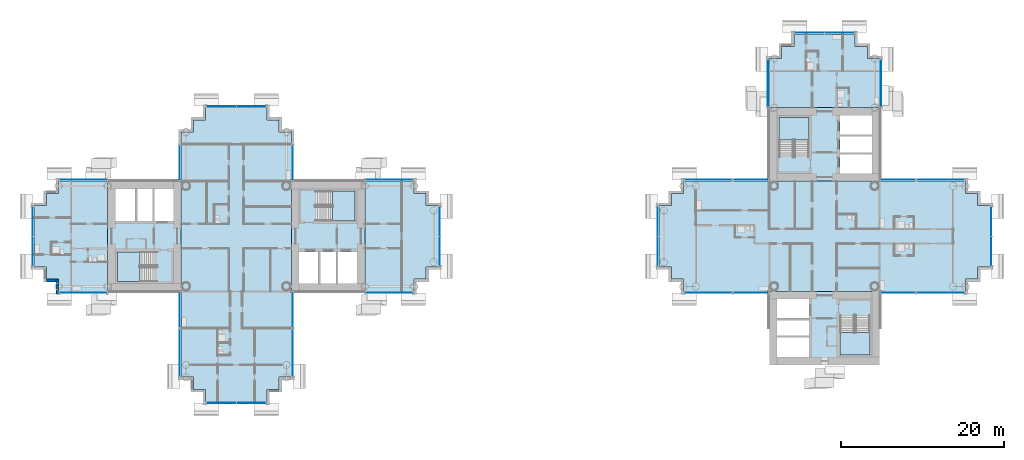
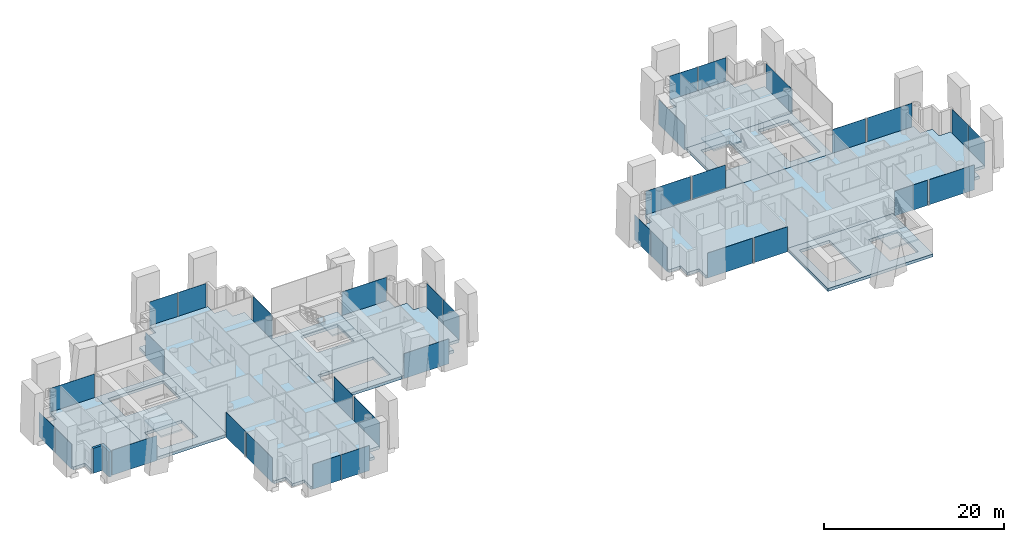
# One storey, part 7 of 21: 34 plates, 13 slabs, 2 walls, 31 elements without a shape of their own.
"""IFC4 building model written with IfcOpenShell, lengths in metres."""

import ifcopenshell
import ifcopenshell.guid

model = None  # the IFC model being written
_history = None  # IfcOwnerHistory: only IFC2X3 demands one
_inside = {}  # id of a spatial element -> (the spatial element, [elements in it])
_under = {}  # id of a project, library or spatial element -> (it, [spatial elements below it])
_declared = {}  # id of a project -> (the project, [libraries it declares])
_typed = {}  # id of a type object -> (the type object, [elements of that type])
_made_of = {}  # id of a material, layer set ... -> (it, [elements and type objects made of it])


def new_model(schema):
    """Start an empty IFC model of exactly this schema.

    Asked for "IFC4X3", IfcOpenShell would pick the latest addendum, in which some entities
    have other attributes; the version numbers below select the first issue.
    IFC2X3 requires an IfcOwnerHistory on every rooted entity: one is made here for all.
    """
    global model, _history
    if schema == "IFC4X3":
        model = ifcopenshell.file(schema_version=(4, 3, 0, 0))
    else:
        model = ifcopenshell.file(schema=schema)
    _inside.clear()
    _under.clear()
    _declared.clear()
    _typed.clear()
    _made_of.clear()
    _history = None
    if model.schema == "IFC2X3":
        org = make("IfcOrganization", Name="unknown")
        user = make(
            "IfcPersonAndOrganization",
            ThePerson=make("IfcPerson", FamilyName="unknown"),
            TheOrganization=org,
        )
        app = make(
            "IfcApplication",
            ApplicationDeveloper=org,
            Version="unknown",
            ApplicationFullName="unknown",
            ApplicationIdentifier="unknown",
        )
        _history = make(
            "IfcOwnerHistory",
            OwningUser=user,
            OwningApplication=app,
            ChangeAction="ADDED",
            CreationDate=0,
        )
    return model


def make(cls, **values):
    """One entity of the class cls with the attributes given. An attribute that is None is left unset."""
    return model.create_entity(
        cls, **{name: value for name, value in values.items() if value is not None}
    )


def rooted(cls, **values):
    """An entity with a GlobalId (a new one), such as an element, a storey or a relation."""
    return make(cls, GlobalId=ifcopenshell.guid.new(), OwnerHistory=_history, **values)


def si_unit(unit_type, name, prefix=None):
    """IfcSIUnit, for example si_unit("LENGTHUNIT", "METRE", prefix="MILLI")."""
    return make("IfcSIUnit", UnitType=unit_type, Prefix=prefix, Name=name)


def assignment(units):
    """IfcUnitAssignment: the units of a project."""
    return None if units is None else make("IfcUnitAssignment", Units=units)


def point(xyz):
    """IfcCartesianPoint."""
    return None if xyz is None else make("IfcCartesianPoint", Coordinates=xyz)


def direction(xyz):
    """IfcDirection."""
    return None if xyz is None else make("IfcDirection", DirectionRatios=xyz)


def frame(location, z_axis=None, x_axis=None):
    """IfcAxis2Placement3D, a coordinate frame: its origin and axes. An axis left out is left unset."""
    return make(
        "IfcAxis2Placement3D",
        Location=point(location),
        Axis=direction(z_axis),
        RefDirection=direction(x_axis),
    )


def frame_2d(location, x_axis=None):
    """IfcAxis2Placement2D, a coordinate frame in the plane: its origin and x axis."""
    return make(
        "IfcAxis2Placement2D", Location=point(location), RefDirection=direction(x_axis)
    )


def origin():
    """The frame at (0, 0, 0) with its axes left unset."""
    return frame((0.0, 0.0, 0.0))


def origin_2d():
    """The frame at (0, 0) in the plane with its x axis left unset."""
    return frame_2d((0.0, 0.0))


def place(relative_to, where):
    """IfcLocalPlacement: puts the frame where relative to a parent placement (None: the world)."""
    return make(
        "IfcLocalPlacement", PlacementRelTo=relative_to, RelativePlacement=where
    )


def context(
    kind, dimensions, precision=None, world=None, true_north=None, identifier=None
):
    """IfcGeometricRepresentationContext, for example the 3D "Model" context."""
    return make(
        "IfcGeometricRepresentationContext",
        ContextIdentifier=identifier,
        ContextType=kind,
        CoordinateSpaceDimension=dimensions,
        Precision=precision,
        WorldCoordinateSystem=world,
        TrueNorth=true_north,
    )


def subcontext(parent, identifier, kind, view, scale=None):
    """IfcGeometricRepresentationSubContext, for example "Body" below "Model"."""
    return make(
        "IfcGeometricRepresentationSubContext",
        ContextIdentifier=identifier,
        ContextType=kind,
        ParentContext=parent,
        TargetScale=scale,
        TargetView=view,
    )


def project(units=None, contexts=None):
    """IfcProject with its units and contexts."""
    return rooted(
        "IfcProject",
        Name="project",
        RepresentationContexts=contexts,
        UnitsInContext=assignment(units),
    )


def spatial(cls, under=None, at=None, **own):
    """A site, building, storey or space (cls), placed at a placement, below another one or the project."""
    s = rooted(cls, ObjectPlacement=at, **own)
    if under is not None:
        _under.setdefault(under.id(), (under, []))[1].append(s)
    return s


def polyline(points):
    """IfcPolyline through the points."""
    return make("IfcPolyline", Points=[point(p) for p in points])


def profile(cls, at=None, kind="AREA", **sizes):
    """A parametric profile (cls). Its sizes go by their IFC names, for example OverallWidth=200.0."""
    return make(cls, ProfileType=kind, Position=at, **sizes)


def rectangle(**sizes):
    """IfcRectangleProfileDef."""
    return profile("IfcRectangleProfileDef", **sizes)


def outline(outer, holes=None, kind="AREA"):
    """IfcArbitraryClosedProfileDef: a profile drawn as a closed curve; with holes, ...WithVoids."""
    if holes is None:
        return make("IfcArbitraryClosedProfileDef", ProfileType=kind, OuterCurve=outer)
    return make(
        "IfcArbitraryProfileDefWithVoids",
        ProfileType=kind,
        OuterCurve=outer,
        InnerCurves=holes,
    )


def extrude(swept, where, along, depth):
    """IfcExtrudedAreaSolid: the profile swept, set in the frame where, extruded along a direction by depth."""
    return make(
        "IfcExtrudedAreaSolid",
        SweptArea=swept,
        Position=where,
        ExtrudedDirection=direction(along),
        Depth=depth,
    )


def shape(context_of_items, identifier, shape_type, items):
    """IfcShapeRepresentation: the items that make up one representation, for example the "Body"."""
    return make(
        "IfcShapeRepresentation",
        ContextOfItems=context_of_items,
        RepresentationIdentifier=identifier,
        RepresentationType=shape_type,
        Items=items,
    )


def material(Name=None, Category=None):
    """IfcMaterial."""
    return make("IfcMaterial", Name=Name, Category=Category)


def layer(
    of_material, thickness, ventilated=None, Name=None, Category=None, Priority=None
):
    """IfcMaterialLayer: one layer of a wall or slab, of a material (None: an air gap)."""
    return make(
        "IfcMaterialLayer",
        Material=of_material,
        LayerThickness=thickness,
        IsVentilated=ventilated,
        Name=Name,
        Category=Category,
        Priority=Priority,
    )


def layer_set(layers, Name=None):
    """IfcMaterialLayerSet."""
    return make("IfcMaterialLayerSet", MaterialLayers=layers, LayerSetName=Name)


def made_of(thing, what):
    """Note that an element or type object is made of a material, layer set ...; save() writes the relation."""
    if what is not None:
        _made_of.setdefault(what.id(), (what, []))[1].append(thing)
    return thing


def type_object(cls, material=None, **own):
    """A type object (cls), such as IfcWallType, which elements share."""
    return made_of(rooted(cls, **own), material)


def element(
    cls,
    number,
    at=None,
    inside=None,
    cuts=None,
    type_object=None,
    material=None,
    context=None,
    identifier="Body",
    shape_type=None,
    held_by="IfcProductDefinitionShape",
    body=None,
    shapes=None,
    **own,
):
    """One element of the class cls, such as IfcWall. Its Tag is "e" and its number.

    at: its placement. inside: the storey or other place that contains it. cuts: it is an
    opening in that element (IfcRelVoidsElement). A single representation is given by context,
    identifier, shape_type and body (its items); several are given by shapes. held_by: the class
    of the entity that holds the representations. save() writes the other relations.
    """
    e = rooted(cls, Tag="e%d" % number, ObjectPlacement=at, **own)
    if body is not None:
        shapes = [shape(context, identifier, shape_type, body)]
    if shapes is not None:
        e.Representation = make(held_by, Representations=shapes)
    if inside is not None:
        _inside.setdefault(inside.id(), (inside, []))[1].append(e)
    if cuts is not None:
        rooted(
            "IfcRelVoidsElement", RelatingBuildingElement=cuts, RelatedOpeningElement=e
        )
    if type_object is not None:
        _typed.setdefault(type_object.id(), (type_object, []))[1].append(e)
    return made_of(e, material)


def aggregate(whole, parts):
    """IfcRelAggregates: a whole, such as a stair, and the parts it consists of."""
    return rooted("IfcRelAggregates", RelatingObject=whole, RelatedObjects=parts)


def save(model, path):
    """Write the relations noted so far, then the file.

    IfcRelAggregates (storeys below a building ...), IfcRelContainedInSpatialStructure (elements
    in a storey), IfcRelDefinesByType, IfcRelAssociatesMaterial and IfcRelDeclares: one each for
    every whole, place, type object, material and project.
    """
    for whole, parts in _under.values():
        aggregate(whole, parts)
    for where, things in _inside.values():
        rooted(
            "IfcRelContainedInSpatialStructure",
            RelatedElements=things,
            RelatingStructure=where,
        )
    for kind, things in _typed.values():
        rooted("IfcRelDefinesByType", RelatedObjects=things, RelatingType=kind)
    for what, things in _made_of.values():
        rooted("IfcRelAssociatesMaterial", RelatedObjects=things, RelatingMaterial=what)
    for by, libraries in _declared.values():
        rooted("IfcRelDeclares", RelatingContext=by, RelatedDefinitions=libraries)
    model.write(path)


model = new_model("IFC4")

# Units and contexts
model_context = context("Model", 3, precision=1e-05, world=origin(), true_north=direction((0.0, 1.0)))
body_context = subcontext(model_context, "Body", "Model", "MODEL_VIEW")
ifc_project = project(units=[si_unit("LENGTHUNIT", "METRE"), si_unit("AREAUNIT", "SQUARE_METRE"), si_unit("VOLUMEUNIT", "CUBIC_METRE"), si_unit("PLANEANGLEUNIT", "RADIAN"), si_unit("MASSUNIT", "GRAM", prefix="KILO")], contexts=[model_context])

# Site, building, storey
site_placement = place(None, origin())
site = spatial("IfcSite", under=ifc_project, at=site_placement, CompositionType="ELEMENT")
building_placement = place(site_placement, origin())
building = spatial("IfcBuilding", under=site, at=building_placement, Name="Ipe Terrace Towers", CompositionType="ELEMENT")
storey_placement = place(building_placement, frame((0.0, 0.0, 93.60009765625)))
storey = spatial("IfcBuildingStorey", under=building, at=storey_placement, Name="L25", CompositionType="ELEMENT", Elevation=93.60009765625)

# Slabs
ifc_material_1 = material(Name="Concrete C30/37", Category="concrete")
ifc_layer_1 = layer(ifc_material_1, 0.39990234375)
ifc_layer_set_1 = layer_set([ifc_layer_1], Name="CORE FLOOR SLAB 400 C30-37")
slab_type_1 = type_object("IfcSlabType", Name="CORE FLOOR SLAB 400 C30-37", PredefinedType="FLOOR", material=ifc_layer_set_1)
slab_1_placement = place(storey_placement, frame((0.0, 0.0, -0.400146484375)))
element("IfcSlab", 1, at=slab_1_placement, inside=storey, type_object=slab_type_1, Name="Core floor T1-C1", PredefinedType="FLOOR", context=body_context, shape_type="SweptSolid", body=[
    extrude(outline(polyline([(-29.25, -6.75), (-29.25, 6.75), (-20.25, 6.75), (-20.25, -6.75), (-29.25, -6.75)]), holes=[polyline([(-28.300048828125, -5.800048828125), (-21.199951171875, -5.800048828125), (-21.199951171875, -1.89990234375), (-28.300048828125, -1.89990234375), (-28.300048828125, -5.800048828125)]), polyline([(-26.199951171875, 5.550048828125), (-26.199951171875, 1.89990234375), (-21.449951171875, 1.89990234375), (-21.449951171875, 5.550048828125), (-26.199951171875, 5.550048828125)])]), origin(), (0.0, 0.0, 1.0), 0.400146484375),
])
slab_2_placement = place(storey_placement, frame((0.0, 0.0, -0.400146484375)))
element("IfcSlab", 2, at=slab_2_placement, inside=storey, type_object=slab_type_1, Name="Core floor T1-C2", PredefinedType="FLOOR", context=body_context, shape_type="SweptSolid", body=[
    extrude(outline(polyline([(-51.75, -6.75), (-51.75, 6.75), (-42.75, 6.75), (-42.75, -6.75), (-51.75, -6.75)]), holes=[polyline([(-45.800048828125, -5.550048828125), (-45.800048828125, -1.89990234375), (-50.550048828125, -1.89990234375), (-50.550048828125, -5.550048828125), (-45.800048828125, -5.550048828125)]), polyline([(-50.800048828125, 1.89990234375), (-43.699951171875, 1.89990234375), (-43.699951171875, 5.800048828125), (-50.800048828125, 5.800048828125), (-50.800048828125, 1.89990234375)])]), origin(), (0.0, 0.0, 1.0), 0.400146484375),
])
slab_3_placement = place(storey_placement, frame((0.0, 0.0, -0.400146484375)))
element("IfcSlab", 3, at=slab_3_placement, inside=storey, type_object=slab_type_1, Name="Core floor T2-C1", PredefinedType="FLOOR", context=body_context, shape_type="SweptSolid", body=[
    extrude(outline(polyline([(29.25, 6.75), (29.25, 15.75), (42.75, 15.75), (42.75, 6.75), (29.25, 6.75)]), holes=[polyline([(41.800048828125, 7.699951171875), (41.800048828125, 14.800048828125), (37.89990234375, 14.800048828125), (37.89990234375, 7.699951171875), (41.800048828125, 7.699951171875)]), polyline([(30.449951171875, 9.800048828125), (34.10009765625, 9.800048828125), (34.10009765625, 14.550048828125), (30.449951171875, 14.550048828125), (30.449951171875, 9.800048828125)])]), origin(), (0.0, 0.0, 1.0), 0.400146484375),
])
slab_4_placement = place(storey_placement, frame((0.0, 0.0, -0.400146484375)))
element("IfcSlab", 4, at=slab_4_placement, inside=storey, type_object=slab_type_1, Name="Core floor T2-C2", PredefinedType="FLOOR", context=body_context, shape_type="SweptSolid", body=[
    extrude(outline(polyline([(29.25, -15.75), (29.25, -6.75), (42.75, -6.75), (42.75, -15.75), (29.25, -15.75)]), holes=[polyline([(34.10009765625, -14.800048828125), (34.10009765625, -7.699951171875), (30.199951171875, -7.699951171875), (30.199951171875, -14.800048828125), (34.10009765625, -14.800048828125)]), polyline([(41.550048828125, -9.800048828125), (37.89990234375, -9.800048828125), (37.89990234375, -14.550048828125), (41.550048828125, -14.550048828125), (41.550048828125, -9.800048828125)])]), origin(), (0.0, 0.0, 1.0), 0.400146484375),
])

# Stair, slab
ifc_material_2 = material(Name="Concrete C30/37", Category="concrete")
stair_type = type_object("IfcStairType", Name="Protected exit stair", PredefinedType="HALF_TURN_STAIR", material=ifc_material_2)
stair_1_placement = place(storey_placement, origin())
stair_1 = element("IfcStair", 5, at=stair_1_placement, inside=storey, type_object=stair_type, Name="L25 Exit stair T1-C1", PredefinedType="HALF_TURN_STAIR")
ifc_material_3 = material(Name="Concrete C30/37", Category="concrete")
ifc_layer_2 = layer(ifc_material_3, 0.199951171875)
ifc_layer_set_2 = layer_set([ifc_layer_2], Name="Exit stair landing 200")
slab_type_2 = type_object("IfcSlabType", Name="Exit stair landing 200", PredefinedType="LANDING", material=ifc_layer_set_2)
slab_5_placement = place(storey_placement, frame((0.0, 0.0, 1.5)))
slab_5 = element("IfcSlab", 6, at=slab_5_placement, type_object=slab_type_2, Name="T1-ST1 landing 1", PredefinedType="LANDING", context=body_context, shape_type="SweptSolid", body=[
    extrude(outline(polyline([(-24.219970703125, 1.89990234375), (-21.449951171875, 1.89990234375), (-21.449951171875, 5.550048828125), (-24.219970703125, 5.550048828125), (-24.219970703125, 1.89990234375)])), origin(), (0.0, 0.0, 1.0), 0.199951171875),
])
aggregate(stair_1, [slab_5])

stair_2_placement = place(storey_placement, origin())
stair_2 = element("IfcStair", 7, at=stair_2_placement, inside=storey, type_object=stair_type, Name="L25 Exit stair T1-C2", PredefinedType="HALF_TURN_STAIR")
slab_6_placement = place(storey_placement, frame((0.0, 0.0, 1.5)))
slab_6 = element("IfcSlab", 8, at=slab_6_placement, type_object=slab_type_2, Name="T1-ST2 landing 1", PredefinedType="LANDING", context=body_context, shape_type="SweptSolid", body=[
    extrude(outline(polyline([(-47.780029296875, -1.89990234375), (-50.550048828125, -1.89990234375), (-50.550048828125, -5.550048828125), (-47.780029296875, -5.550048828125), (-47.780029296875, -1.89990234375)])), origin(), (0.0, 0.0, 1.0), 0.199951171875),
])
aggregate(stair_2, [slab_6])

stair_3_placement = place(storey_placement, origin())
stair_3 = element("IfcStair", 9, at=stair_3_placement, inside=storey, type_object=stair_type, Name="L25 Exit stair T2-C1", PredefinedType="HALF_TURN_STAIR")
slab_7_placement = place(storey_placement, frame((0.0, 0.0, 1.5)))
slab_7 = element("IfcSlab", 10, at=slab_7_placement, type_object=slab_type_2, Name="T2-ST1 landing 1", PredefinedType="LANDING", context=body_context, shape_type="SweptSolid", body=[
    extrude(outline(polyline([(34.10009765625, 11.780029296875), (34.10009765625, 14.550048828125), (30.449951171875, 14.550048828125), (30.449951171875, 11.780029296875), (34.10009765625, 11.780029296875)])), origin(), (0.0, 0.0, 1.0), 0.199951171875),
])
aggregate(stair_3, [slab_7])

stair_4_placement = place(storey_placement, origin())
stair_4 = element("IfcStair", 11, at=stair_4_placement, inside=storey, type_object=stair_type, Name="L25 Exit stair T2-C2", PredefinedType="HALF_TURN_STAIR")
slab_8_placement = place(storey_placement, frame((0.0, 0.0, 1.5)))
slab_8 = element("IfcSlab", 12, at=slab_8_placement, type_object=slab_type_2, Name="T2-ST2 landing 1", PredefinedType="LANDING", context=body_context, shape_type="SweptSolid", body=[
    extrude(outline(polyline([(37.89990234375, -11.780029296875), (37.89990234375, -14.550048828125), (41.550048828125, -14.550048828125), (41.550048828125, -11.780029296875), (37.89990234375, -11.780029296875)])), origin(), (0.0, 0.0, 1.0), 0.199951171875),
])
aggregate(stair_4, [slab_8])

# Slabs
ifc_material_4 = material(Name="Concrete C40/50", Category="concrete")
ifc_layer_3 = layer(ifc_material_4, 0.39990234375)
ifc_layer_set_3 = layer_set([ifc_layer_3], Name="FLAT PLATE SLAB 400 C40-50")
slab_type_3 = type_object("IfcSlabType", Name="FLAT PLATE SLAB 400 C40-50", PredefinedType="FLOOR", material=ifc_layer_set_3)
slab_9_placement = place(storey_placement, frame((0.0, 0.0, -0.400146484375)))
element("IfcSlab", 13, at=slab_9_placement, inside=storey, type_object=slab_type_3, Name="Slab T1-FS-Z21", PredefinedType="FLOOR", context=body_context, shape_type="SweptSolid", body=[
    extrude(outline(polyline([(-30.75, -17.25), (-30.75, -18.75), (-32.25, -18.75), (-32.25, -20.25), (-39.75, -20.25), (-39.75, -18.75), (-41.25, -18.75), (-41.25, -17.25), (-42.75, -17.25), (-42.75, -6.75), (-42.75, 6.75), (-42.75, 12.75), (-41.25, 12.75), (-41.25, 14.25), (-39.75, 14.25), (-39.75, 15.75), (-32.25, 15.75), (-32.25, 14.25), (-30.75, 14.25), (-30.75, 12.75), (-29.25, 12.75), (-29.25, 6.75), (-29.25, -6.75), (-29.25, -17.25), (-30.75, -17.25)])), origin(), (0.0, 0.0, 1.0), 0.400146484375),
])
slab_10_placement = place(storey_placement, frame((0.0, 0.0, -0.400146484375)))
element("IfcSlab", 14, at=slab_10_placement, inside=storey, type_object=slab_type_3, Name="Slab T1-FS-Z22", PredefinedType="FLOOR", context=body_context, shape_type="SweptSolid", body=[
    extrude(outline(polyline([(-57.75, -6.75), (-57.75, -5.25), (-59.25, -5.25), (-59.25, -3.75), (-60.75, -3.75), (-60.75, 3.75), (-59.25, 3.75), (-59.25, 5.25), (-57.75, 5.25), (-57.75, 6.75), (-51.75, 6.75), (-51.75, -6.75), (-57.75, -6.75)])), origin(), (0.0, 0.0, 1.0), 0.400146484375),
])
slab_11_placement = place(storey_placement, frame((0.0, 0.0, -0.400146484375)))
element("IfcSlab", 15, at=slab_11_placement, inside=storey, type_object=slab_type_3, Name="Slab T1-FS-Z23", PredefinedType="FLOOR", context=body_context, shape_type="SweptSolid", body=[
    extrude(outline(polyline([(-14.25, 5.25), (-12.75, 5.25), (-12.75, 3.75), (-11.25, 3.75), (-11.25, -3.75), (-12.75, -3.75), (-12.75, -5.25), (-14.25, -5.25), (-14.25, -6.75), (-20.25, -6.75), (-20.25, 6.75), (-14.25, 6.75), (-14.25, 5.25)])), origin(), (0.0, 0.0, 1.0), 0.400146484375),
])
slab_12_placement = place(storey_placement, frame((0.0, 0.0, -0.400146484375)))
element("IfcSlab", 16, at=slab_12_placement, inside=storey, type_object=slab_type_3, Name="Slab T2-FS-Z21", PredefinedType="FLOOR", context=body_context, shape_type="SweptSolid", body=[
    extrude(outline(polyline([(53.25, 5.25), (54.75, 5.25), (54.75, 3.75), (56.25, 3.75), (56.25, -3.75), (54.75, -3.75), (54.75, -5.25), (53.25, -5.25), (53.25, -6.75), (42.75, -6.75), (29.25, -6.75), (18.75, -6.75), (18.75, -5.25), (17.25, -5.25), (17.25, -3.75), (15.75, -3.75), (15.75, 3.75), (17.25, 3.75), (17.25, 5.25), (18.75, 5.25), (18.75, 6.75), (29.25, 6.75), (42.75, 6.75), (53.25, 6.75), (53.25, 5.25)])), origin(), (0.0, 0.0, 1.0), 0.400146484375),
])
slab_13_placement = place(storey_placement, frame((0.0, 0.0, -0.400146484375)))
element("IfcSlab", 17, at=slab_13_placement, inside=storey, type_object=slab_type_3, Name="Slab T2-FS-Z22", PredefinedType="FLOOR", context=body_context, shape_type="SweptSolid", body=[
    extrude(outline(polyline([(30.75, 21.75), (30.75, 23.25), (32.25, 23.25), (32.25, 24.75), (39.75, 24.75), (39.75, 23.25), (41.25, 23.25), (41.25, 21.75), (42.75, 21.75), (42.75, 15.75), (29.25, 15.75), (29.25, 21.75), (30.75, 21.75)])), origin(), (0.0, 0.0, 1.0), 0.400146484375),
])

# Curtain wall, plate
ifc_material_5 = material(Name="Aluminium alloy 6063-T6", Category="aluminium")
ifc_layer_4 = layer(ifc_material_5, 0.320068359375)
ifc_layer_set_4 = layer_set([ifc_layer_4], Name="TOWER UNITISED CURTAIN WALL")
curtain_wall_type = type_object("IfcCurtainWallType", Name="TOWER UNITISED CURTAIN WALL", PredefinedType="NOTDEFINED", material=ifc_layer_set_4)
curtain_wall_1_placement = place(storey_placement, origin())
curtain_wall_1 = element("IfcCurtainWall", 18, at=curtain_wall_1_placement, inside=storey, type_object=curtain_wall_type, Name="T1-CW-L25-04a curtain wall", PredefinedType="NOTDEFINED")
ifc_material_6 = material(Name="Glass, clear laminated", Category="glass")
ifc_layer_5 = layer(ifc_material_6, 0.031982421875)
ifc_layer_set_5 = layer_set([ifc_layer_5], Name="TOWER UNITISED GLASS PANEL 32")
plate_type = type_object("IfcPlateType", Name="TOWER UNITISED GLASS PANEL 32", PredefinedType="CURTAIN_PANEL", material=ifc_layer_set_5)
plate_1_placement = place(storey_placement, frame((-54.75048828125, -6.909912109375, -0.300048828125), z_axis=(0.0, 0.0, 1.0), x_axis=(1.0, 0.0, 0.0)))
plate_1 = element("IfcPlate", 19, at=plate_1_placement, type_object=plate_type, Name="T1-CW-L25-04a panel 1", PredefinedType="CURTAIN_PANEL", context=body_context, shape_type="SweptSolid", body=[
    extrude(rectangle(XDim=5.759033203125, YDim=0.031982421875, at=origin_2d()), origin(), (0.0, 0.0, 1.0), 3.39990234375),
])
aggregate(curtain_wall_1, [plate_1])

curtain_wall_2_placement = place(storey_placement, origin())
curtain_wall_2 = element("IfcCurtainWall", 20, at=curtain_wall_2_placement, inside=storey, type_object=curtain_wall_type, Name="T1-CW-L25-06a curtain wall", PredefinedType="NOTDEFINED")
plate_2_placement = place(storey_placement, frame((-42.909912109375, -9.0, -0.300048828125), z_axis=(0.0, 0.0, 1.0), x_axis=(0.0, -1.0, 0.0)))
plate_2 = element("IfcPlate", 21, at=plate_2_placement, type_object=plate_type, Name="T1-CW-L25-06a panel 1", PredefinedType="CURTAIN_PANEL", context=body_context, shape_type="SweptSolid", body=[
    extrude(rectangle(XDim=4.260009765625, YDim=0.031982421875, at=origin_2d()), origin(), (0.0, 0.0, 1.0), 3.39990234375),
])
aggregate(curtain_wall_2, [plate_2])

curtain_wall_3_placement = place(storey_placement, origin())
curtain_wall_3 = element("IfcCurtainWall", 22, at=curtain_wall_3_placement, inside=storey, type_object=curtain_wall_type, Name="T1-CW-L25-07a curtain wall", PredefinedType="NOTDEFINED")
plate_3_placement = place(storey_placement, frame((-42.909912109375, -14.25, -0.300048828125), z_axis=(0.0, 0.0, 1.0), x_axis=(0.0, -1.0, 0.0)))
plate_3 = element("IfcPlate", 23, at=plate_3_placement, type_object=plate_type, Name="T1-CW-L25-07a panel 1", PredefinedType="CURTAIN_PANEL", context=body_context, shape_type="SweptSolid", body=[
    extrude(rectangle(XDim=5.760009765625, YDim=0.031982421875, at=origin_2d()), origin(), (0.0, 0.0, 1.0), 3.39990234375),
])
aggregate(curtain_wall_3, [plate_3])

# Curtain wall, plates
curtain_wall_4_placement = place(storey_placement, origin())
curtain_wall_4 = element("IfcCurtainWall", 24, at=curtain_wall_4_placement, inside=storey, type_object=curtain_wall_type, Name="T1-CW-L25-12a curtain wall", PredefinedType="NOTDEFINED")
plate_4_placement = place(storey_placement, frame((-37.831298828125, -20.409912109375, -0.300048828125), z_axis=(0.0, 0.0, 1.0), x_axis=(1.0, 0.0, 0.0)))
plate_4 = element("IfcPlate", 25, at=plate_4_placement, type_object=plate_type, Name="T1-CW-L25-12a panel 1", PredefinedType="CURTAIN_PANEL", context=body_context, shape_type="SweptSolid", body=[
    extrude(rectangle(XDim=3.597412109375, YDim=0.031982421875, at=origin_2d()), origin(), (0.0, 0.0, 1.0), 3.39990234375),
])
plate_5_placement = place(storey_placement, frame((-34.168701171875, -20.409912109375, -0.300048828125), z_axis=(0.0, 0.0, 1.0), x_axis=(1.0, 0.0, 0.0)))
plate_5 = element("IfcPlate", 26, at=plate_5_placement, type_object=plate_type, Name="T1-CW-L25-12a panel 2", PredefinedType="CURTAIN_PANEL", context=body_context, shape_type="SweptSolid", body=[
    extrude(rectangle(XDim=3.597412109375, YDim=0.031982421875, at=origin_2d()), origin(), (0.0, 0.0, 1.0), 3.39990234375),
])
aggregate(curtain_wall_4, [plate_4, plate_5])

# Curtain wall, plate
curtain_wall_5_placement = place(storey_placement, origin())
curtain_wall_5 = element("IfcCurtainWall", 27, at=curtain_wall_5_placement, inside=storey, type_object=curtain_wall_type, Name="T1-CW-L25-17a curtain wall", PredefinedType="NOTDEFINED")
plate_6_placement = place(storey_placement, frame((-29.090087890625, -14.25, -0.300048828125), z_axis=(0.0, 0.0, 1.0), x_axis=(0.0, 1.0, 0.0)))
plate_6 = element("IfcPlate", 28, at=plate_6_placement, type_object=plate_type, Name="T1-CW-L25-17a panel 1", PredefinedType="CURTAIN_PANEL", context=body_context, shape_type="SweptSolid", body=[
    extrude(rectangle(XDim=5.760009765625, YDim=0.031982421875, at=origin_2d()), origin(), (0.0, 0.0, 1.0), 3.39990234375),
])
aggregate(curtain_wall_5, [plate_6])

curtain_wall_6_placement = place(storey_placement, origin())
curtain_wall_6 = element("IfcCurtainWall", 29, at=curtain_wall_6_placement, inside=storey, type_object=curtain_wall_type, Name="T1-CW-L25-18a curtain wall", PredefinedType="NOTDEFINED")
plate_7_placement = place(storey_placement, frame((-29.090087890625, -9.0, -0.300048828125), z_axis=(0.0, 0.0, 1.0), x_axis=(0.0, 1.0, 0.0)))
plate_7 = element("IfcPlate", 30, at=plate_7_placement, type_object=plate_type, Name="T1-CW-L25-18a panel 1", PredefinedType="CURTAIN_PANEL", context=body_context, shape_type="SweptSolid", body=[
    extrude(rectangle(XDim=4.260009765625, YDim=0.031982421875, at=origin_2d()), origin(), (0.0, 0.0, 1.0), 3.39990234375),
])
aggregate(curtain_wall_6, [plate_7])

curtain_wall_7_placement = place(storey_placement, origin())
curtain_wall_7 = element("IfcCurtainWall", 31, at=curtain_wall_7_placement, inside=storey, type_object=curtain_wall_type, Name="T1-CW-L25-20b curtain wall", PredefinedType="NOTDEFINED")
plate_8_placement = place(storey_placement, frame((-17.24951171875, -6.909912109375, -0.300048828125), z_axis=(0.0, 0.0, 1.0), x_axis=(1.0, 0.0, 0.0)))
plate_8 = element("IfcPlate", 32, at=plate_8_placement, type_object=plate_type, Name="T1-CW-L25-20b panel 1", PredefinedType="CURTAIN_PANEL", context=body_context, shape_type="SweptSolid", body=[
    extrude(rectangle(XDim=5.759033203125, YDim=0.031982421875, at=origin_2d()), origin(), (0.0, 0.0, 1.0), 3.39990234375),
])
aggregate(curtain_wall_7, [plate_8])

# Curtain wall, plates
curtain_wall_8_placement = place(storey_placement, origin())
curtain_wall_8 = element("IfcCurtainWall", 33, at=curtain_wall_8_placement, inside=storey, type_object=curtain_wall_type, Name="T1-CW-L25-25a curtain wall", PredefinedType="NOTDEFINED")
plate_9_placement = place(storey_placement, frame((-11.090087890625, -1.831298828125, -0.300048828125), z_axis=(0.0, 0.0, 1.0), x_axis=(0.0, 1.0, 0.0)))
plate_9 = element("IfcPlate", 34, at=plate_9_placement, type_object=plate_type, Name="T1-CW-L25-25a panel 1", PredefinedType="CURTAIN_PANEL", context=body_context, shape_type="SweptSolid", body=[
    extrude(rectangle(XDim=3.597412109375, YDim=0.031982421875, at=origin_2d()), origin(), (0.0, 0.0, 1.0), 3.39990234375),
])
plate_10_placement = place(storey_placement, frame((-11.090087890625, 1.831298828125, -0.300048828125), z_axis=(0.0, 0.0, 1.0), x_axis=(0.0, 1.0, 0.0)))
plate_10 = element("IfcPlate", 35, at=plate_10_placement, type_object=plate_type, Name="T1-CW-L25-25a panel 2", PredefinedType="CURTAIN_PANEL", context=body_context, shape_type="SweptSolid", body=[
    extrude(rectangle(XDim=3.597412109375, YDim=0.031982421875, at=origin_2d()), origin(), (0.0, 0.0, 1.0), 3.39990234375),
])
aggregate(curtain_wall_8, [plate_9, plate_10])

# Curtain wall, plate
curtain_wall_9_placement = place(storey_placement, origin())
curtain_wall_9 = element("IfcCurtainWall", 36, at=curtain_wall_9_placement, inside=storey, type_object=curtain_wall_type, Name="T1-CW-L25-30a curtain wall", PredefinedType="NOTDEFINED")
plate_11_placement = place(storey_placement, frame((-17.24951171875, 6.909912109375, -0.300048828125), z_axis=(0.0, 0.0, 1.0), x_axis=(-1.0, 0.0, 0.0)))
plate_11 = element("IfcPlate", 37, at=plate_11_placement, type_object=plate_type, Name="T1-CW-L25-30a panel 1", PredefinedType="CURTAIN_PANEL", context=body_context, shape_type="SweptSolid", body=[
    extrude(rectangle(XDim=5.759033203125, YDim=0.031982421875, at=origin_2d()), origin(), (0.0, 0.0, 1.0), 3.39990234375),
])
aggregate(curtain_wall_9, [plate_11])

curtain_wall_10_placement = place(storey_placement, origin())
curtain_wall_10 = element("IfcCurtainWall", 38, at=curtain_wall_10_placement, inside=storey, type_object=curtain_wall_type, Name="T1-CW-L25-32a curtain wall", PredefinedType="NOTDEFINED")
plate_12_placement = place(storey_placement, frame((-29.090087890625, 9.0, -0.300048828125), z_axis=(0.0, 0.0, 1.0), x_axis=(0.0, 1.0, 0.0)))
plate_12 = element("IfcPlate", 39, at=plate_12_placement, type_object=plate_type, Name="T1-CW-L25-32a panel 1", PredefinedType="CURTAIN_PANEL", context=body_context, shape_type="SweptSolid", body=[
    extrude(rectangle(XDim=4.260009765625, YDim=0.031982421875, at=origin_2d()), origin(), (0.0, 0.0, 1.0), 3.39990234375),
])
aggregate(curtain_wall_10, [plate_12])

# Curtain wall, plates
curtain_wall_11_placement = place(storey_placement, origin())
curtain_wall_11 = element("IfcCurtainWall", 40, at=curtain_wall_11_placement, inside=storey, type_object=curtain_wall_type, Name="T1-CW-L25-38a curtain wall", PredefinedType="NOTDEFINED")
plate_13_placement = place(storey_placement, frame((-34.168701171875, 15.909912109375, -0.300048828125), z_axis=(0.0, 0.0, 1.0), x_axis=(-1.0, 0.0, 0.0)))
plate_13 = element("IfcPlate", 41, at=plate_13_placement, type_object=plate_type, Name="T1-CW-L25-38a panel 1", PredefinedType="CURTAIN_PANEL", context=body_context, shape_type="SweptSolid", body=[
    extrude(rectangle(XDim=3.597412109375, YDim=0.031982421875, at=origin_2d()), origin(), (0.0, 0.0, 1.0), 3.39990234375),
])
plate_14_placement = place(storey_placement, frame((-37.831298828125, 15.909912109375, -0.300048828125), z_axis=(0.0, 0.0, 1.0), x_axis=(-1.0, 0.0, 0.0)))
plate_14 = element("IfcPlate", 42, at=plate_14_placement, type_object=plate_type, Name="T1-CW-L25-38a panel 2", PredefinedType="CURTAIN_PANEL", context=body_context, shape_type="SweptSolid", body=[
    extrude(rectangle(XDim=3.597412109375, YDim=0.031982421875, at=origin_2d()), origin(), (0.0, 0.0, 1.0), 3.39990234375),
])
aggregate(curtain_wall_11, [plate_13, plate_14])

# Curtain wall, plate
curtain_wall_12_placement = place(storey_placement, origin())
curtain_wall_12 = element("IfcCurtainWall", 43, at=curtain_wall_12_placement, inside=storey, type_object=curtain_wall_type, Name="T1-CW-L25-44a curtain wall", PredefinedType="NOTDEFINED")
plate_15_placement = place(storey_placement, frame((-42.909912109375, 9.0, -0.300048828125), z_axis=(0.0, 0.0, 1.0), x_axis=(0.0, -1.0, 0.0)))
plate_15 = element("IfcPlate", 44, at=plate_15_placement, type_object=plate_type, Name="T1-CW-L25-44a panel 1", PredefinedType="CURTAIN_PANEL", context=body_context, shape_type="SweptSolid", body=[
    extrude(rectangle(XDim=4.260009765625, YDim=0.031982421875, at=origin_2d()), origin(), (0.0, 0.0, 1.0), 3.39990234375),
])
aggregate(curtain_wall_12, [plate_15])

curtain_wall_13_placement = place(storey_placement, origin())
curtain_wall_13 = element("IfcCurtainWall", 45, at=curtain_wall_13_placement, inside=storey, type_object=curtain_wall_type, Name="T1-CW-L25-46b curtain wall", PredefinedType="NOTDEFINED")
plate_16_placement = place(storey_placement, frame((-54.75048828125, 6.909912109375, -0.300048828125), z_axis=(0.0, 0.0, 1.0), x_axis=(-1.0, 0.0, 0.0)))
plate_16 = element("IfcPlate", 46, at=plate_16_placement, type_object=plate_type, Name="T1-CW-L25-46b panel 1", PredefinedType="CURTAIN_PANEL", context=body_context, shape_type="SweptSolid", body=[
    extrude(rectangle(XDim=5.759033203125, YDim=0.031982421875, at=origin_2d()), origin(), (0.0, 0.0, 1.0), 3.39990234375),
])
aggregate(curtain_wall_13, [plate_16])

# Curtain wall, plates
curtain_wall_14_placement = place(storey_placement, origin())
curtain_wall_14 = element("IfcCurtainWall", 47, at=curtain_wall_14_placement, inside=storey, type_object=curtain_wall_type, Name="T1-CW-L25-51a curtain wall", PredefinedType="NOTDEFINED")
plate_17_placement = place(storey_placement, frame((-60.909912109375, 1.831298828125, -0.300048828125), z_axis=(0.0, 0.0, 1.0), x_axis=(0.0, -1.0, 0.0)))
plate_17 = element("IfcPlate", 48, at=plate_17_placement, type_object=plate_type, Name="T1-CW-L25-51a panel 1", PredefinedType="CURTAIN_PANEL", context=body_context, shape_type="SweptSolid", body=[
    extrude(rectangle(XDim=3.597412109375, YDim=0.031982421875, at=origin_2d()), origin(), (0.0, 0.0, 1.0), 3.39990234375),
])
plate_18_placement = place(storey_placement, frame((-60.909912109375, -1.831298828125, -0.300048828125), z_axis=(0.0, 0.0, 1.0), x_axis=(0.0, -1.0, 0.0)))
plate_18 = element("IfcPlate", 49, at=plate_18_placement, type_object=plate_type, Name="T1-CW-L25-51a panel 2", PredefinedType="CURTAIN_PANEL", context=body_context, shape_type="SweptSolid", body=[
    extrude(rectangle(XDim=3.597412109375, YDim=0.031982421875, at=origin_2d()), origin(), (0.0, 0.0, 1.0), 3.39990234375),
])
aggregate(curtain_wall_14, [plate_17, plate_18])

# Curtain wall, plate
curtain_wall_15_placement = place(storey_placement, origin())
curtain_wall_15 = element("IfcCurtainWall", 50, at=curtain_wall_15_placement, inside=storey, type_object=curtain_wall_type, Name="T2-CW-L25-02a curtain wall", PredefinedType="NOTDEFINED")
plate_19_placement = place(storey_placement, frame((45.0, -6.909912109375, -0.300048828125), z_axis=(0.0, 0.0, 1.0), x_axis=(1.0, 0.0, 0.0)))
plate_19 = element("IfcPlate", 51, at=plate_19_placement, type_object=plate_type, Name="T2-CW-L25-02a panel 1", PredefinedType="CURTAIN_PANEL", context=body_context, shape_type="SweptSolid", body=[
    extrude(rectangle(XDim=4.260009765625, YDim=0.031982421875, at=origin_2d()), origin(), (0.0, 0.0, 1.0), 3.39990234375),
])
aggregate(curtain_wall_15, [plate_19])

curtain_wall_16_placement = place(storey_placement, origin())
curtain_wall_16 = element("IfcCurtainWall", 52, at=curtain_wall_16_placement, inside=storey, type_object=curtain_wall_type, Name="T2-CW-L25-03a curtain wall", PredefinedType="NOTDEFINED")
plate_20_placement = place(storey_placement, frame((50.25, -6.909912109375, -0.300048828125), z_axis=(0.0, 0.0, 1.0), x_axis=(1.0, 0.0, 0.0)))
plate_20 = element("IfcPlate", 53, at=plate_20_placement, type_object=plate_type, Name="T2-CW-L25-03a panel 1", PredefinedType="CURTAIN_PANEL", context=body_context, shape_type="SweptSolid", body=[
    extrude(rectangle(XDim=5.760009765625, YDim=0.031982421875, at=origin_2d()), origin(), (0.0, 0.0, 1.0), 3.39990234375),
])
aggregate(curtain_wall_16, [plate_20])

# Curtain wall, plates
curtain_wall_17_placement = place(storey_placement, origin())
curtain_wall_17 = element("IfcCurtainWall", 54, at=curtain_wall_17_placement, inside=storey, type_object=curtain_wall_type, Name="T2-CW-L25-08a curtain wall", PredefinedType="NOTDEFINED")
plate_21_placement = place(storey_placement, frame((56.409912109375, -1.831298828125, -0.300048828125), z_axis=(0.0, 0.0, 1.0), x_axis=(0.0, 1.0, 0.0)))
plate_21 = element("IfcPlate", 55, at=plate_21_placement, type_object=plate_type, Name="T2-CW-L25-08a panel 1", PredefinedType="CURTAIN_PANEL", context=body_context, shape_type="SweptSolid", body=[
    extrude(rectangle(XDim=3.597412109375, YDim=0.031982421875, at=origin_2d()), origin(), (0.0, 0.0, 1.0), 3.39990234375),
])
plate_22_placement = place(storey_placement, frame((56.409912109375, 1.831298828125, -0.300048828125), z_axis=(0.0, 0.0, 1.0), x_axis=(0.0, 1.0, 0.0)))
plate_22 = element("IfcPlate", 56, at=plate_22_placement, type_object=plate_type, Name="T2-CW-L25-08a panel 2", PredefinedType="CURTAIN_PANEL", context=body_context, shape_type="SweptSolid", body=[
    extrude(rectangle(XDim=3.597412109375, YDim=0.031982421875, at=origin_2d()), origin(), (0.0, 0.0, 1.0), 3.39990234375),
])
aggregate(curtain_wall_17, [plate_21, plate_22])

# Curtain wall, plate
curtain_wall_18_placement = place(storey_placement, origin())
curtain_wall_18 = element("IfcCurtainWall", 57, at=curtain_wall_18_placement, inside=storey, type_object=curtain_wall_type, Name="T2-CW-L25-13a curtain wall", PredefinedType="NOTDEFINED")
plate_23_placement = place(storey_placement, frame((50.25, 6.909912109375, -0.300048828125), z_axis=(0.0, 0.0, 1.0), x_axis=(-1.0, 0.0, 0.0)))
plate_23 = element("IfcPlate", 58, at=plate_23_placement, type_object=plate_type, Name="T2-CW-L25-13a panel 1", PredefinedType="CURTAIN_PANEL", context=body_context, shape_type="SweptSolid", body=[
    extrude(rectangle(XDim=5.760009765625, YDim=0.031982421875, at=origin_2d()), origin(), (0.0, 0.0, 1.0), 3.39990234375),
])
aggregate(curtain_wall_18, [plate_23])

curtain_wall_19_placement = place(storey_placement, origin())
curtain_wall_19 = element("IfcCurtainWall", 59, at=curtain_wall_19_placement, inside=storey, type_object=curtain_wall_type, Name="T2-CW-L25-14a curtain wall", PredefinedType="NOTDEFINED")
plate_24_placement = place(storey_placement, frame((45.0, 6.909912109375, -0.300048828125), z_axis=(0.0, 0.0, 1.0), x_axis=(-1.0, 0.0, 0.0)))
plate_24 = element("IfcPlate", 60, at=plate_24_placement, type_object=plate_type, Name="T2-CW-L25-14a panel 1", PredefinedType="CURTAIN_PANEL", context=body_context, shape_type="SweptSolid", body=[
    extrude(rectangle(XDim=4.260009765625, YDim=0.031982421875, at=origin_2d()), origin(), (0.0, 0.0, 1.0), 3.39990234375),
])
aggregate(curtain_wall_19, [plate_24])

curtain_wall_20_placement = place(storey_placement, origin())
curtain_wall_20 = element("IfcCurtainWall", 61, at=curtain_wall_20_placement, inside=storey, type_object=curtain_wall_type, Name="T2-CW-L25-16b curtain wall", PredefinedType="NOTDEFINED")
plate_25_placement = place(storey_placement, frame((42.909912109375, 18.75048828125, -0.300048828125), z_axis=(0.0, 0.0, 1.0), x_axis=(0.0, 1.0, 0.0)))
plate_25 = element("IfcPlate", 62, at=plate_25_placement, type_object=plate_type, Name="T2-CW-L25-16b panel 1", PredefinedType="CURTAIN_PANEL", context=body_context, shape_type="SweptSolid", body=[
    extrude(rectangle(XDim=5.759033203125, YDim=0.031982421875, at=origin_2d()), origin(), (0.0, 0.0, 1.0), 3.39990234375),
])
aggregate(curtain_wall_20, [plate_25])

# Curtain wall, plates
curtain_wall_21_placement = place(storey_placement, origin())
curtain_wall_21 = element("IfcCurtainWall", 63, at=curtain_wall_21_placement, inside=storey, type_object=curtain_wall_type, Name="T2-CW-L25-21a curtain wall", PredefinedType="NOTDEFINED")
plate_26_placement = place(storey_placement, frame((37.831298828125, 24.909912109375, -0.300048828125), z_axis=(0.0, 0.0, 1.0), x_axis=(-1.0, 0.0, 0.0)))
plate_26 = element("IfcPlate", 64, at=plate_26_placement, type_object=plate_type, Name="T2-CW-L25-21a panel 1", PredefinedType="CURTAIN_PANEL", context=body_context, shape_type="SweptSolid", body=[
    extrude(rectangle(XDim=3.597412109375, YDim=0.031982421875, at=origin_2d()), origin(), (0.0, 0.0, 1.0), 3.39990234375),
])
plate_27_placement = place(storey_placement, frame((34.168701171875, 24.909912109375, -0.300048828125), z_axis=(0.0, 0.0, 1.0), x_axis=(-1.0, 0.0, 0.0)))
plate_27 = element("IfcPlate", 65, at=plate_27_placement, type_object=plate_type, Name="T2-CW-L25-21a panel 2", PredefinedType="CURTAIN_PANEL", context=body_context, shape_type="SweptSolid", body=[
    extrude(rectangle(XDim=3.597412109375, YDim=0.031982421875, at=origin_2d()), origin(), (0.0, 0.0, 1.0), 3.39990234375),
])
aggregate(curtain_wall_21, [plate_26, plate_27])

# Curtain wall, plate
curtain_wall_22_placement = place(storey_placement, origin())
curtain_wall_22 = element("IfcCurtainWall", 66, at=curtain_wall_22_placement, inside=storey, type_object=curtain_wall_type, Name="T2-CW-L25-26a curtain wall", PredefinedType="NOTDEFINED")
plate_28_placement = place(storey_placement, frame((29.090087890625, 18.75048828125, -0.300048828125), z_axis=(0.0, 0.0, 1.0), x_axis=(0.0, -1.0, 0.0)))
plate_28 = element("IfcPlate", 67, at=plate_28_placement, type_object=plate_type, Name="T2-CW-L25-26a panel 1", PredefinedType="CURTAIN_PANEL", context=body_context, shape_type="SweptSolid", body=[
    extrude(rectangle(XDim=5.759033203125, YDim=0.031982421875, at=origin_2d()), origin(), (0.0, 0.0, 1.0), 3.39990234375),
])
aggregate(curtain_wall_22, [plate_28])

curtain_wall_23_placement = place(storey_placement, origin())
curtain_wall_23 = element("IfcCurtainWall", 68, at=curtain_wall_23_placement, inside=storey, type_object=curtain_wall_type, Name="T2-CW-L25-28a curtain wall", PredefinedType="NOTDEFINED")
plate_29_placement = place(storey_placement, frame((27.0, 6.909912109375, -0.300048828125), z_axis=(0.0, 0.0, 1.0), x_axis=(-1.0, 0.0, 0.0)))
plate_29 = element("IfcPlate", 69, at=plate_29_placement, type_object=plate_type, Name="T2-CW-L25-28a panel 1", PredefinedType="CURTAIN_PANEL", context=body_context, shape_type="SweptSolid", body=[
    extrude(rectangle(XDim=4.260009765625, YDim=0.031982421875, at=origin_2d()), origin(), (0.0, 0.0, 1.0), 3.39990234375),
])
aggregate(curtain_wall_23, [plate_29])

curtain_wall_24_placement = place(storey_placement, origin())
curtain_wall_24 = element("IfcCurtainWall", 70, at=curtain_wall_24_placement, inside=storey, type_object=curtain_wall_type, Name="T2-CW-L25-29a curtain wall", PredefinedType="NOTDEFINED")
plate_30_placement = place(storey_placement, frame((21.75, 6.909912109375, -0.300048828125), z_axis=(0.0, 0.0, 1.0), x_axis=(-1.0, 0.0, 0.0)))
plate_30 = element("IfcPlate", 71, at=plate_30_placement, type_object=plate_type, Name="T2-CW-L25-29a panel 1", PredefinedType="CURTAIN_PANEL", context=body_context, shape_type="SweptSolid", body=[
    extrude(rectangle(XDim=5.760009765625, YDim=0.031982421875, at=origin_2d()), origin(), (0.0, 0.0, 1.0), 3.39990234375),
])
aggregate(curtain_wall_24, [plate_30])

# Curtain wall, plates
curtain_wall_25_placement = place(storey_placement, origin())
curtain_wall_25 = element("IfcCurtainWall", 72, at=curtain_wall_25_placement, inside=storey, type_object=curtain_wall_type, Name="T2-CW-L25-34a curtain wall", PredefinedType="NOTDEFINED")
plate_31_placement = place(storey_placement, frame((15.590087890625, 1.831298828125, -0.300048828125), z_axis=(0.0, 0.0, 1.0), x_axis=(0.0, -1.0, 0.0)))
plate_31 = element("IfcPlate", 73, at=plate_31_placement, type_object=plate_type, Name="T2-CW-L25-34a panel 1", PredefinedType="CURTAIN_PANEL", context=body_context, shape_type="SweptSolid", body=[
    extrude(rectangle(XDim=3.597412109375, YDim=0.031982421875, at=origin_2d()), origin(), (0.0, 0.0, 1.0), 3.39990234375),
])
plate_32_placement = place(storey_placement, frame((15.590087890625, -1.831298828125, -0.300048828125), z_axis=(0.0, 0.0, 1.0), x_axis=(0.0, -1.0, 0.0)))
plate_32 = element("IfcPlate", 74, at=plate_32_placement, type_object=plate_type, Name="T2-CW-L25-34a panel 2", PredefinedType="CURTAIN_PANEL", context=body_context, shape_type="SweptSolid", body=[
    extrude(rectangle(XDim=3.597412109375, YDim=0.031982421875, at=origin_2d()), origin(), (0.0, 0.0, 1.0), 3.39990234375),
])
aggregate(curtain_wall_25, [plate_31, plate_32])

# Curtain wall, plate
curtain_wall_26_placement = place(storey_placement, origin())
curtain_wall_26 = element("IfcCurtainWall", 75, at=curtain_wall_26_placement, inside=storey, type_object=curtain_wall_type, Name="T2-CW-L25-39a curtain wall", PredefinedType="NOTDEFINED")
plate_33_placement = place(storey_placement, frame((21.75, -6.909912109375, -0.300048828125), z_axis=(0.0, 0.0, 1.0), x_axis=(1.0, 0.0, 0.0)))
plate_33 = element("IfcPlate", 76, at=plate_33_placement, type_object=plate_type, Name="T2-CW-L25-39a panel 1", PredefinedType="CURTAIN_PANEL", context=body_context, shape_type="SweptSolid", body=[
    extrude(rectangle(XDim=5.760009765625, YDim=0.031982421875, at=origin_2d()), origin(), (0.0, 0.0, 1.0), 3.39990234375),
])
aggregate(curtain_wall_26, [plate_33])

curtain_wall_27_placement = place(storey_placement, origin())
curtain_wall_27 = element("IfcCurtainWall", 77, at=curtain_wall_27_placement, inside=storey, type_object=curtain_wall_type, Name="T2-CW-L25-40a curtain wall", PredefinedType="NOTDEFINED")
plate_34_placement = place(storey_placement, frame((27.0, -6.909912109375, -0.300048828125), z_axis=(0.0, 0.0, 1.0), x_axis=(1.0, 0.0, 0.0)))
plate_34 = element("IfcPlate", 78, at=plate_34_placement, type_object=plate_type, Name="T2-CW-L25-40a panel 1", PredefinedType="CURTAIN_PANEL", context=body_context, shape_type="SweptSolid", body=[
    extrude(rectangle(XDim=4.260009765625, YDim=0.031982421875, at=origin_2d()), origin(), (0.0, 0.0, 1.0), 3.39990234375),
])
aggregate(curtain_wall_27, [plate_34])

# Walls
ifc_material_7 = material(Name="Concrete C40/50 with buff precast cladding", Category="concrete")
ifc_layer_6 = layer(ifc_material_7, 0.320068359375)
ifc_layer_set_6 = layer_set([ifc_layer_6], Name="BUFF CLADDING WALL 320")
wall_type = type_object("IfcWallType", Name="BUFF CLADDING WALL 320", PredefinedType="STANDARD", material=ifc_layer_set_6)
wall_1_placement = place(storey_placement, frame((-59.25, -5.409912109375, -0.300048828125), z_axis=(0.0, 0.0, 1.0), x_axis=(1.0, 0.0, 0.0)))
element("IfcWall", 79, at=wall_1_placement, inside=storey, type_object=wall_type, Name="T1-W-L25-02a wall", PredefinedType="STANDARD", context=body_context, shape_type="SweptSolid", body=[
    extrude(rectangle(XDim=1.179931640625, YDim=0.320068359375, at=frame_2d((0.58984375, 0.0))), origin(), (0.0, 0.0, 1.0), 3.39990234375),
])
wall_2_placement = place(storey_placement, frame((-57.909912109375, -5.25, -0.300048828125), z_axis=(0.0, 0.0, 1.0), x_axis=(0.0, -1.0, 0.0)))
element("IfcWall", 80, at=wall_2_placement, inside=storey, type_object=wall_type, Name="T1-W-L25-03a wall", PredefinedType="STANDARD", context=body_context, shape_type="SweptSolid", body=[
    extrude(rectangle(XDim=1.820068359375, YDim=0.320068359375, at=frame_2d((0.91015625, 0.0))), origin(), (0.0, 0.0, 1.0), 3.39990234375),
])

save(model, "model.ifc")
